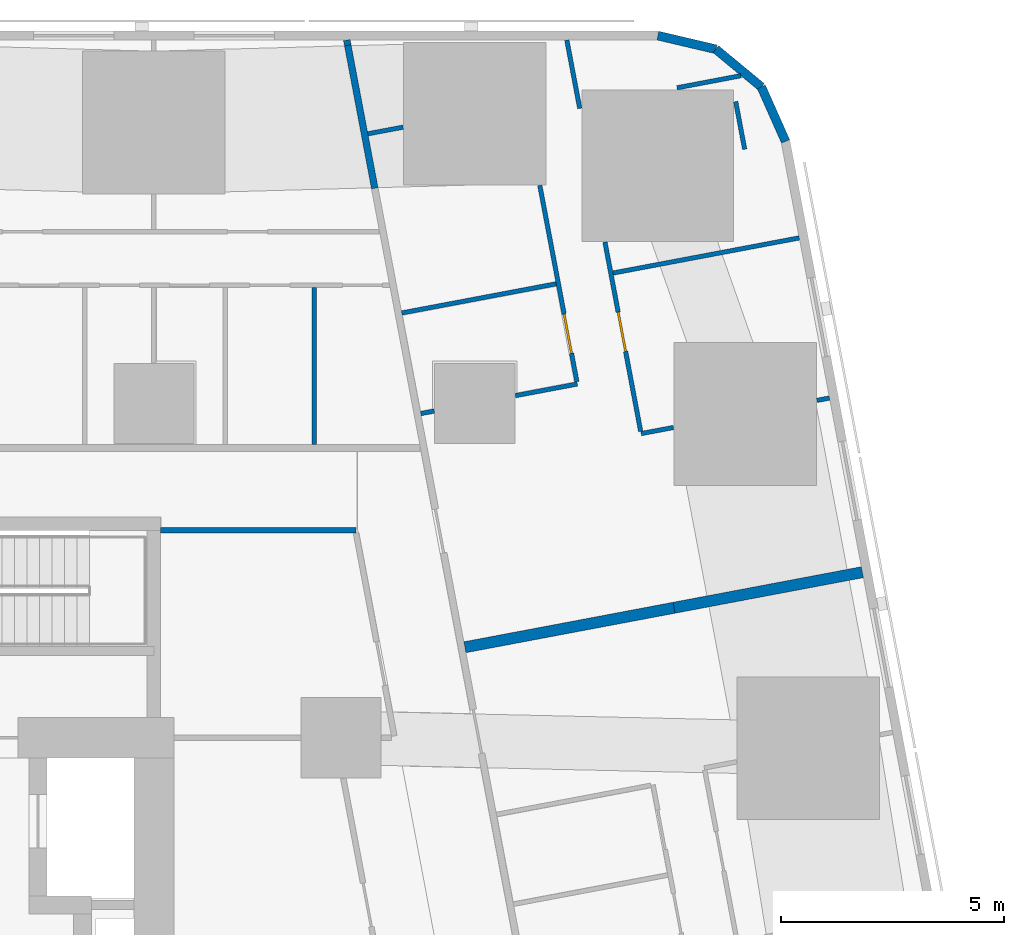
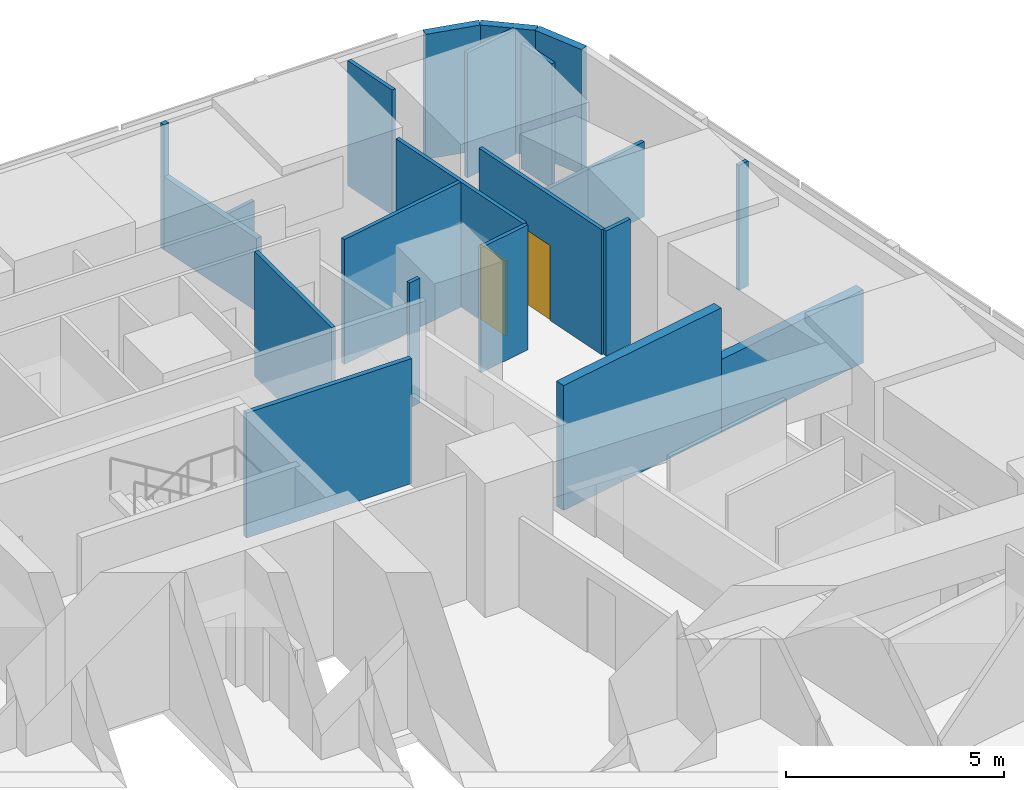
# One storey, part 14 of 18: 21 walls, 2 doors, 2 openings.
"""IFC4 building model written with IfcOpenShell, lengths in metres."""

from ifc_helpers import new_model, si_unit, direction, frame, frame_2d, origin, place, context, subcontext, project, spatial, rectangle, extrude, material, layer, layer_set, type_object, element, fill, save


model = new_model("IFC4")

# Units and contexts
model_context = context("Model", 3, precision=1e-05, world=origin(), true_north=direction((0.0, 1.0)))
body_context = subcontext(model_context, "Body", "Model", "MODEL_VIEW")
ifc_project = project(units=[si_unit("LENGTHUNIT", "METRE"), si_unit("AREAUNIT", "SQUARE_METRE"), si_unit("VOLUMEUNIT", "CUBIC_METRE"), si_unit("PLANEANGLEUNIT", "RADIAN"), si_unit("MASSUNIT", "GRAM", prefix="KILO")], contexts=[model_context])

# Site, building, storey
site_placement = place(None, origin())
site = spatial("IfcSite", under=ifc_project, at=site_placement, CompositionType="ELEMENT")
building_placement = place(site_placement, origin())
building = spatial("IfcBuilding", under=site, at=building_placement, Name="Sheger Commons Tower", CompositionType="ELEMENT")
storey_placement = place(building_placement, frame((0.0, 0.0, 20.0)))
storey = spatial("IfcBuildingStorey", under=building, at=storey_placement, Name="L04", CompositionType="ELEMENT", Elevation=20.0)

# Walls
ifc_material_1 = material(Name="Hollow concrete block masonry, skimmed both sides", Category="masonry")
ifc_layer_1 = layer(ifc_material_1, 0.14990234375)
ifc_layer_set_1 = layer_set([ifc_layer_1], Name="CORRIDOR WALL 150")
wall_type_1 = type_object("IfcWallType", Name="CORRIDOR WALL 150", PredefinedType="SOLIDWALL", material=ifc_layer_set_1)
wall_1_placement = place(storey_placement, frame((33.126953125, 45.64990234375, 0.0), z_axis=(0.0, 0.0, 1.0), x_axis=(0.184660164975, -0.98280243359, 0.0)))
element("IfcWall", 1, at=wall_1_placement, inside=storey, type_object=wall_type_1, Name="Corridor wall L04", PredefinedType="SOLIDWALL", context=body_context, shape_type="SweptSolid", body=[
    extrude(rectangle(XDim=0.118896484375, YDim=0.14990234375, at=frame_2d((0.0595703125, 0.0))), origin(), (0.0, 0.0, 1.0), 3.5),
])
wall_2_placement = place(storey_placement, frame((33.14892578125, 45.532958984375, 0.0), z_axis=(0.0, 0.0, 1.0), x_axis=(0.185606774758, -0.98262410166, 0.0)))
element("IfcWall", 2, at=wall_2_placement, inside=storey, type_object=wall_type_1, Name="Corridor wall L04", PredefinedType="SOLIDWALL", context=body_context, shape_type="SweptSolid", body=[
    extrude(rectangle(XDim=3.2646484375, YDim=0.14990234375, at=frame_2d((1.63232421875, 0.0))), origin(), (0.0, 0.0, 1.0), 2.050048828125),
])
ifc_material_2 = material(Name="Dense concrete block masonry, plastered both sides (separating wall between flats)", Category="masonry")
ifc_layer_2 = layer(ifc_material_2, 0.25)
ifc_layer_set_2 = layer_set([ifc_layer_2], Name="DEMISING WALL 250")
wall_type_2 = type_object("IfcWallType", Name="DEMISING WALL 250", PredefinedType="SOLIDWALL", material=ifc_layer_set_2)
wall_3_placement = place(storey_placement, frame((44.693115234375, 33.712890625, 0.0), z_axis=(0.0, 0.0, 1.0), x_axis=(-0.982633535512, -0.185556823879, 0.0)))
element("IfcWall", 3, at=wall_3_placement, inside=storey, type_object=wall_type_2, Name="Demising wall L04", PredefinedType="SOLIDWALL", context=body_context, shape_type="SweptSolid", body=[
    extrude(rectangle(XDim=4.2998046875, YDim=0.25, at=frame_2d((2.14990234375, 0.0))), origin(), (0.0, 0.0, 1.0), 2.050048828125),
])
wall_4_placement = place(storey_placement, frame((40.468017578125, 32.9150390625, 0.0), z_axis=(0.0, 0.0, 1.0), x_axis=(-0.982635807605, -0.185544791394, 0.0)))
element("IfcWall", 4, at=wall_4_placement, inside=storey, type_object=wall_type_2, Name="Demising wall L04", PredefinedType="SOLIDWALL", context=body_context, shape_type="SweptSolid", body=[
    extrude(rectangle(XDim=4.775146484375, YDim=0.25, at=frame_2d((2.3876953125, 0.0))), origin(), (0.0, 0.0, 1.0), 3.5),
])
ifc_material_3 = material(Name="Rendered concrete block masonry, dark grey", Category="masonry")
ifc_layer_3 = layer(ifc_material_3, 0.199951171875)
ifc_layer_set_3 = layer_set([ifc_layer_3], Name="FACADE WALL 200")
wall_type_3 = type_object("IfcWallType", Name="FACADE WALL 200", PredefinedType="SOLIDWALL", material=ifc_layer_set_3)
wall_5_placement = place(storey_placement, frame((42.969970703125, 43.376953125, 0.0), z_axis=(0.0, 0.0, 1.0), x_axis=(-0.406002956633, 0.913871762998, 0.0)))
element("IfcWall", 5, at=wall_5_placement, inside=storey, type_object=wall_type_3, Name="Facade wall L04", PredefinedType="SOLIDWALL", context=body_context, shape_type="SweptSolid", body=[
    extrude(rectangle(XDim=1.33740234375, YDim=0.199951171875, at=frame_2d((0.668701171875, 0.0))), origin(), (0.0, 0.0, 1.0), 3.5),
])
wall_6_placement = place(storey_placement, frame((42.427001953125, 44.59912109375, 0.0), z_axis=(0.0, 0.0, 1.0), x_axis=(-0.770091412544, 0.637933551655, 0.0)))
element("IfcWall", 6, at=wall_6_placement, inside=storey, type_object=wall_type_3, Name="Facade wall L04", PredefinedType="SOLIDWALL", context=body_context, shape_type="SweptSolid", body=[
    extrude(rectangle(XDim=1.324462890625, YDim=0.199951171875, at=frame_2d((0.662109375, 0.0))), origin(), (0.0, 0.0, 1.0), 3.5),
])
wall_7_placement = place(storey_placement, frame((41.406982421875, 45.444091796875, 0.0), z_axis=(0.0, 0.0, 1.0), x_axis=(-0.973453091607, 0.228886606077, 0.0)))
element("IfcWall", 7, at=wall_7_placement, inside=storey, type_object=wall_type_3, Name="Facade wall L04", PredefinedType="SOLIDWALL", context=body_context, shape_type="SweptSolid", body=[
    extrude(rectangle(XDim=1.33642578125, YDim=0.199951171875, at=frame_2d((0.668212890625, 0.0))), origin(), (0.0, 0.0, 1.0), 3.5),
])
ifc_material_4 = material(Name="Gypsum board on steel studs", Category="steel")
ifc_layer_4 = layer(ifc_material_4, 0.10009765625)
ifc_layer_set_4 = layer_set([ifc_layer_4], Name="PARTITION 100")
wall_type_4 = type_object("IfcWallType", Name="PARTITION 100", PredefinedType="PARTITIONING", material=ifc_layer_set_4)
wall_8_placement = place(storey_placement, frame((41.85107421875, 44.26904296875, 0.0), z_axis=(0.0, 0.0, 1.0), x_axis=(0.185411943936, -0.982660883034, 0.0)))
element("IfcWall", 8, at=wall_8_placement, inside=storey, type_object=wall_type_4, Name="Partition L04", PredefinedType="PARTITIONING", context=body_context, shape_type="SweptSolid", body=[
    extrude(rectangle(XDim=1.0888671875, YDim=0.10009765625, at=frame_2d((0.54443359375, 0.0))), origin(), (0.0, 0.0, 1.0), 3.5),
])
wall_9_placement = place(storey_placement, frame((38.06298828125, 45.64990234375, 0.0), z_axis=(0.0, 0.0, 1.0), x_axis=(0.185789650565, -0.982589540827, 0.0)))
element("IfcWall", 9, at=wall_9_placement, inside=storey, type_object=wall_type_4, Name="Partition L04", PredefinedType="PARTITIONING", context=body_context, shape_type="SweptSolid", body=[
    extrude(rectangle(XDim=1.56103515625, YDim=0.10009765625, at=frame_2d((0.780517578125, 0.0))), origin(), (0.0, 0.0, 1.0), 3.5),
])

# Wall, opening, door
wall_10_placement = place(storey_placement, frame((38.91796875, 41.1201171875, 0.0), z_axis=(0.0, 0.0, 1.0), x_axis=(0.185474723155, -0.982649035552, 0.0)))
wall_10 = element("IfcWall", 10, at=wall_10_placement, inside=storey, type_object=wall_type_4, Name="Partition L04", PredefinedType="PARTITIONING", context=body_context, shape_type="SweptSolid", body=[
    extrude(rectangle(XDim=4.323974609375, YDim=0.10009765625, at=frame_2d((2.162109375, 0.0))), origin(), (0.0, 0.0, 1.0), 3.5),
])
opening_1_placement = place(wall_10_placement, frame((1.60009765625, 0.0, 0.0)))
opening_1 = element("IfcOpeningElement", 11, at=opening_1_placement, cuts=wall_10, Name="Opening D2", PredefinedType="OPENING", context=body_context, shape_type="SweptSolid", body=[
    extrude(rectangle(XDim=0.89990234375, YDim=2.10009765625, at=frame_2d((0.449951171875, 1.050048828125))), frame((0.0, 0.06005859375, 0.0), z_axis=(0.0, -1.0, 0.0), x_axis=(1.0, 0.0, 0.0)), (0.0, 0.0, 1.0), 0.1201171875),
])
ifc_material_5 = material(Name="Timber door set", Category="wood")
door_type = type_object("IfcDoorType", Name="INTERNAL DOOR 900x2100", OperationType="NOTDEFINED", PredefinedType="DOOR", material=ifc_material_5)
door_1_placement = place(opening_1_placement, origin())
door_1 = element("IfcDoor", 12, at=door_1_placement, inside=storey, type_object=door_type, Name="Main bedroom door", OperationType="SINGLE_SWING_LEFT", OverallHeight=2.10009765625, OverallWidth=0.89990234375, PredefinedType="DOOR", context=body_context, shape_type="SweptSolid", body=[
    extrude(rectangle(XDim=0.89990234375, YDim=2.10009765625, at=frame_2d((0.449951171875, 1.050048828125))), frame((0.0, 0.02490234375, 0.0), z_axis=(0.0, -1.0, 0.0), x_axis=(1.0, 0.0, 0.0)), (0.0, 0.0, 1.0), 0.050048828125),
])
fill(opening_1, door_1)

wall_11_placement = place(storey_placement, frame((37.45703125, 42.389892578125, 0.0), z_axis=(0.0, 0.0, 1.0), x_axis=(0.185560627322, -0.982632817276, 0.0)))
wall_11 = element("IfcWall", 13, at=wall_11_placement, inside=storey, type_object=wall_type_4, Name="Partition L04", PredefinedType="PARTITIONING", context=body_context, shape_type="SweptSolid", body=[
    extrude(rectangle(XDim=4.48388671875, YDim=0.10009765625, at=frame_2d((2.241943359375, 0.0))), origin(), (0.0, 0.0, 1.0), 3.5),
])
opening_2_placement = place(wall_11_placement, frame((2.93603515625, 0.0, 0.0)))
opening_2 = element("IfcOpeningElement", 14, at=opening_2_placement, cuts=wall_11, Name="Opening D2", PredefinedType="OPENING", context=body_context, shape_type="SweptSolid", body=[
    extrude(rectangle(XDim=0.89990234375, YDim=2.10009765625, at=frame_2d((0.449951171875, 1.050048828125))), frame((0.0, 0.06005859375, 0.0), z_axis=(0.0, -1.0, 0.0), x_axis=(1.0, 0.0, 0.0)), (0.0, 0.0, 1.0), 0.1201171875),
])
door_2_placement = place(opening_2_placement, origin())
door_2 = element("IfcDoor", 15, at=door_2_placement, inside=storey, type_object=door_type, Name="Bathroom door", OperationType="SINGLE_SWING_LEFT", OverallHeight=2.10009765625, OverallWidth=0.89990234375, PredefinedType="DOOR", context=body_context, shape_type="SweptSolid", body=[
    extrude(rectangle(XDim=0.89990234375, YDim=2.10009765625, at=frame_2d((0.449951171875, 1.050048828125))), frame((0.0, 0.02490234375, 0.0), z_axis=(0.0, -1.0, 0.0), x_axis=(1.0, 0.0, 0.0)), (0.0, 0.0, 1.0), 0.050048828125),
])
fill(opening_2, door_2)

# Walls
wall_12_placement = place(storey_placement, frame((41.968017578125, 44.85009765625, 0.0), z_axis=(0.0, 0.0, 1.0), x_axis=(-0.982563630066, -0.185926633033, 0.0)))
element("IfcWall", 16, at=wall_12_placement, inside=storey, type_object=wall_type_4, Name="Partition L04", PredefinedType="PARTITIONING", context=body_context, shape_type="SweptSolid", body=[
    extrude(rectangle(XDim=1.45751953125, YDim=0.10009765625, at=frame_2d((0.728759765625, 0.0))), origin(), (0.0, 0.0, 1.0), 3.5),
])
wall_13_placement = place(storey_placement, frame((43.277099609375, 41.2119140625, 0.0), z_axis=(0.0, 0.0, 1.0), x_axis=(-0.982665405803, -0.185387972203, 0.0)))
element("IfcWall", 17, at=wall_13_placement, inside=storey, type_object=wall_type_4, Name="Partition L04", PredefinedType="PARTITIONING", context=body_context, shape_type="SweptSolid", body=[
    extrude(rectangle(XDim=4.249755859375, YDim=0.10009765625, at=frame_2d((2.125, 0.0))), origin(), (0.0, 0.0, 1.0), 2.10009765625),
])
wall_14_placement = place(storey_placement, frame((43.955078125, 37.6201171875, 0.0), z_axis=(0.0, 0.0, 1.0), x_axis=(-0.982532299353, -0.186092129678, 0.0)))
element("IfcWall", 18, at=wall_14_placement, inside=storey, type_object=wall_type_4, Name="Partition L04", PredefinedType="PARTITIONING", context=body_context, shape_type="SweptSolid", body=[
    extrude(rectangle(XDim=0.285888671875, YDim=0.10009765625, at=frame_2d((0.14306640625, 0.0))), origin(), (0.0, 0.0, 1.0), 3.5),
])
wall_15_placement = place(storey_placement, frame((40.4541015625, 36.958984375, 0.0), z_axis=(0.0, 0.0, 1.0), x_axis=(-0.982578421631, -0.185848447247, 0.0)))
element("IfcWall", 19, at=wall_15_placement, inside=storey, type_object=wall_type_4, Name="Partition L04", PredefinedType="PARTITIONING", context=body_context, shape_type="SweptSolid", body=[
    extrude(rectangle(XDim=0.737060546875, YDim=0.10009765625, at=frame_2d((0.36865234375, 0.0))), origin(), (0.0, 0.0, 1.0), 3.5),
])
wall_16_placement = place(storey_placement, frame((34.389892578125, 43.696044921875, 0.0), z_axis=(0.0, 0.0, 1.0), x_axis=(-0.982640737979, -0.185518678479, 0.0)))
element("IfcWall", 20, at=wall_16_placement, inside=storey, type_object=wall_type_4, Name="Partition L04", PredefinedType="PARTITIONING", context=body_context, shape_type="SweptSolid", body=[
    extrude(rectangle(XDim=0.802734375, YDim=0.10009765625, at=frame_2d((0.4013671875, 0.0))), origin(), (0.0, 0.0, 1.0), 2.050048828125),
])
wall_17_placement = place(storey_placement, frame((37.822998046875, 40.181884765625, 0.0), z_axis=(0.0, 0.0, 1.0), x_axis=(-0.98263926043, -0.185526504472, 0.0)))
element("IfcWall", 21, at=wall_17_placement, inside=storey, type_object=wall_type_4, Name="Partition L04", PredefinedType="PARTITIONING", context=body_context, shape_type="SweptSolid", body=[
    extrude(rectangle(XDim=3.524169921875, YDim=0.10009765625, at=frame_2d((1.76220703125, 0.0))), origin(), (0.0, 0.0, 1.0), 3.5),
])
wall_18_placement = place(storey_placement, frame((38.299072265625, 37.93505859375, 0.0), z_axis=(0.0, 0.0, 1.0), x_axis=(-0.982680053146, -0.185310315822, 0.0)))
element("IfcWall", 22, at=wall_18_placement, inside=storey, type_object=wall_type_4, Name="Partition L04", PredefinedType="PARTITIONING", context=body_context, shape_type="SweptSolid", body=[
    extrude(rectangle(XDim=1.41357421875, YDim=0.10009765625, at=frame_2d((0.706787109375, 0.0))), origin(), (0.0, 0.0, 1.0), 3.5),
])
wall_19_placement = place(storey_placement, frame((35.090087890625, 37.327880859375, 0.0), z_axis=(0.0, 0.0, 1.0), x_axis=(-0.982961380226, -0.183812200315, 0.0)))
element("IfcWall", 23, at=wall_19_placement, inside=storey, type_object=wall_type_4, Name="Partition L04", PredefinedType="PARTITIONING", context=body_context, shape_type="SweptSolid", body=[
    extrude(rectangle(XDim=0.3095703125, YDim=0.10009765625, at=frame_2d((0.15478515625, 0.0))), origin(), (0.0, 0.0, 1.0), 3.5),
])
wall_20_placement = place(storey_placement, frame((32.39990234375, 36.574951171875, 0.0), z_axis=(0.0, 0.0, 1.0), x_axis=(0.0, 1.0, 0.0)))
element("IfcWall", 24, at=wall_20_placement, inside=storey, type_object=wall_type_4, Name="Partition L04", PredefinedType="PARTITIONING", context=body_context, shape_type="SweptSolid", body=[
    extrude(rectangle(XDim=3.525146484375, YDim=0.10009765625, at=frame_2d((1.7626953125, 0.0))), origin(), (0.0, 0.0, 1.0), 3.5),
])
ifc_material_6 = material(Name="Gypsum board on steel studs, two layers each side, fire rated", Category="steel")
ifc_layer_5 = layer(ifc_material_6, 0.125)
ifc_layer_set_5 = layer_set([ifc_layer_5], Name="SERVICE WALL 125")
wall_type_5 = type_object("IfcWallType", Name="SERVICE WALL 125", PredefinedType="PARTITIONING", material=ifc_layer_set_5)
wall_21_placement = place(storey_placement, frame((28.949951171875, 34.64990234375, 0.0), z_axis=(0.0, 0.0, 1.0), x_axis=(1.0, 0.0, 0.0)))
element("IfcWall", 25, at=wall_21_placement, inside=storey, type_object=wall_type_5, Name="Service room wall L04", PredefinedType="PARTITIONING", context=body_context, shape_type="SweptSolid", body=[
    extrude(rectangle(XDim=4.381103515625, YDim=0.125, at=frame_2d((2.1904296875, 0.0))), origin(), (0.0, 0.0, 1.0), 3.5),
])

save(model, "model.ifc")
